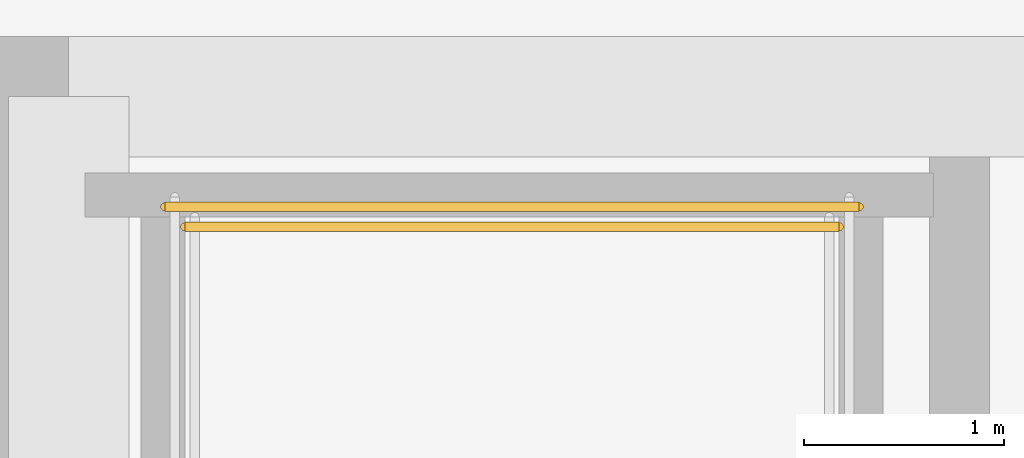
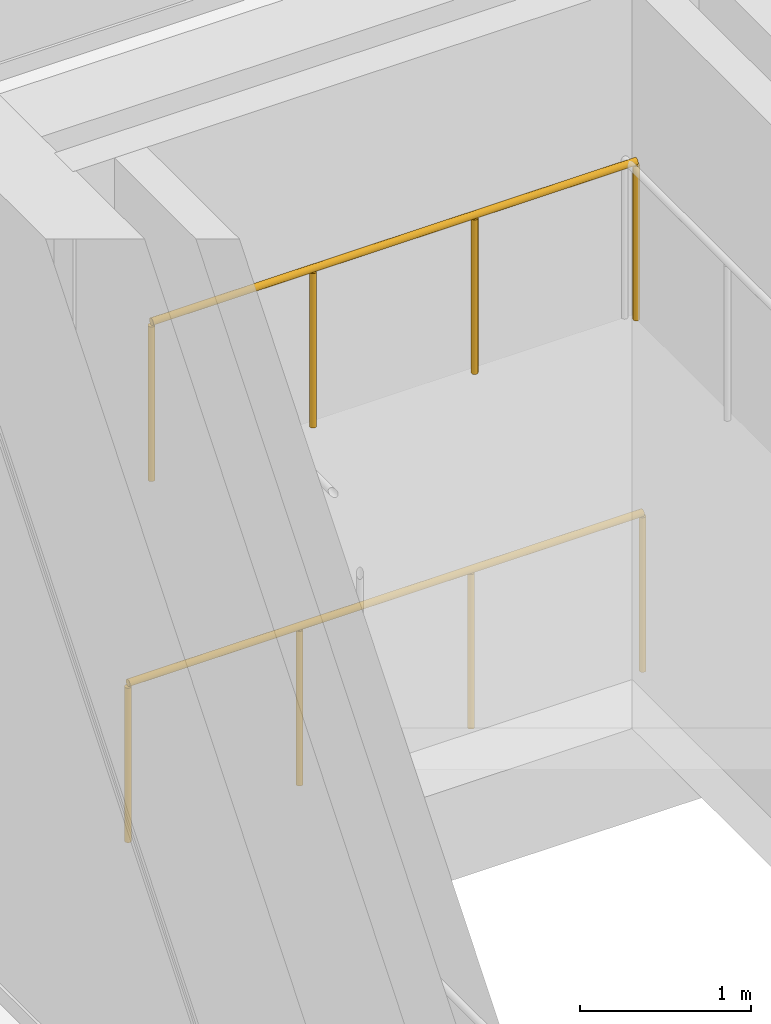
# One storey, part 14 of 14: 2 railings.
"""IFC4 building model written with IfcOpenShell, lengths in metres."""

from ifc_helpers import new_model, si_unit, direction, frame, origin, origin_2d, place, context, subcontext, project, spatial, circle, extrude, material, type_object, element, save


model = new_model("IFC4")

# Units and contexts
model_context = context("Model", 3, precision=1e-05, world=origin(), true_north=direction((0.0, 1.0)))
body_context = subcontext(model_context, "Body", "Model", "MODEL_VIEW")
ifc_project = project(units=[si_unit("LENGTHUNIT", "METRE"), si_unit("AREAUNIT", "SQUARE_METRE"), si_unit("VOLUMEUNIT", "CUBIC_METRE"), si_unit("PLANEANGLEUNIT", "RADIAN"), si_unit("MASSUNIT", "GRAM", prefix="KILO")], contexts=[model_context])

# Site, building, storey
site_placement = place(None, origin())
site = spatial("IfcSite", under=ifc_project, at=site_placement, CompositionType="ELEMENT")
building_placement = place(site_placement, origin())
building = spatial("IfcBuilding", under=site, at=building_placement, Name="Khairoan Windgate Tower", CompositionType="ELEMENT")
storey_placement = place(building_placement, frame((0.0, 0.0, 325.199951171875)))
storey = spatial("IfcBuildingStorey", under=building, at=storey_placement, Name="L78", CompositionType="ELEMENT", Elevation=325.199951171875)

# Railings
ifc_material = material(Name="Steel S355", Category="steel")
railing_type = type_object("IfcRailingType", Name="Stairwell Safety Guardrail SGR-1150", PredefinedType="GUARDRAIL", material=ifc_material)
railing_1_placement = place(storey_placement, frame((-16.14990234375, 12.550048828125, 2.60009765625)))
element("IfcRailing", 1, at=railing_1_placement, inside=storey, type_object=railing_type, Name="L78 ST2 stair guard 5", PredefinedType="GUARDRAIL", context=body_context, shape_type="SweptSolid", body=[
    extrude(circle(Radius=0.02392578125, at=origin_2d()), frame((0.0, 0.0, 1.1259765625), z_axis=(-1.0, 0.0, 0.0), x_axis=(0.0, -1.0, 0.0)), (0.0, 0.0, 1.0), 3.27001953125),
    extrude(circle(Radius=0.02099609375, at=origin_2d()), origin(), (0.0, 0.0, 1.0), 1.101806640625),
    extrude(circle(Radius=0.02099609375, at=origin_2d()), frame((-1.090087890625, 0.0, 0.0)), (0.0, 0.0, 1.0), 1.101806640625),
    extrude(circle(Radius=0.02099609375, at=origin_2d()), frame((-2.179931640625, 0.0, 0.0)), (0.0, 0.0, 1.0), 1.101806640625),
    extrude(circle(Radius=0.02099609375, at=origin_2d()), frame((-3.27001953125, 0.0, 0.0)), (0.0, 0.0, 1.0), 1.101806640625),
])
railing_2_placement = place(storey_placement, frame((-16.050048828125, 12.64990234375, 0.0)))
element("IfcRailing", 2, at=railing_2_placement, inside=storey, type_object=railing_type, Name="L78 ST2 stair guard 12", PredefinedType="GUARDRAIL", context=body_context, shape_type="SweptSolid", body=[
    extrude(circle(Radius=0.02392578125, at=origin_2d()), frame((0.0, 0.0, 1.1259765625), z_axis=(-1.0, 0.0, 0.0), x_axis=(0.0, -1.0, 0.0)), (0.0, 0.0, 1.0), 3.469970703125),
    extrude(circle(Radius=0.02099609375, at=origin_2d()), origin(), (0.0, 0.0, 1.0), 1.101806640625),
    extrude(circle(Radius=0.02099609375, at=origin_2d()), frame((-1.15673828125, 0.0, 0.0)), (0.0, 0.0, 1.0), 1.101806640625),
    extrude(circle(Radius=0.02099609375, at=origin_2d()), frame((-2.313232421875, 0.0, 0.0)), (0.0, 0.0, 1.0), 1.101806640625),
    extrude(circle(Radius=0.02099609375, at=origin_2d()), frame((-3.469970703125, 0.0, 0.0)), (0.0, 0.0, 1.0), 1.101806640625),
])

save(model, "model.ifc")
